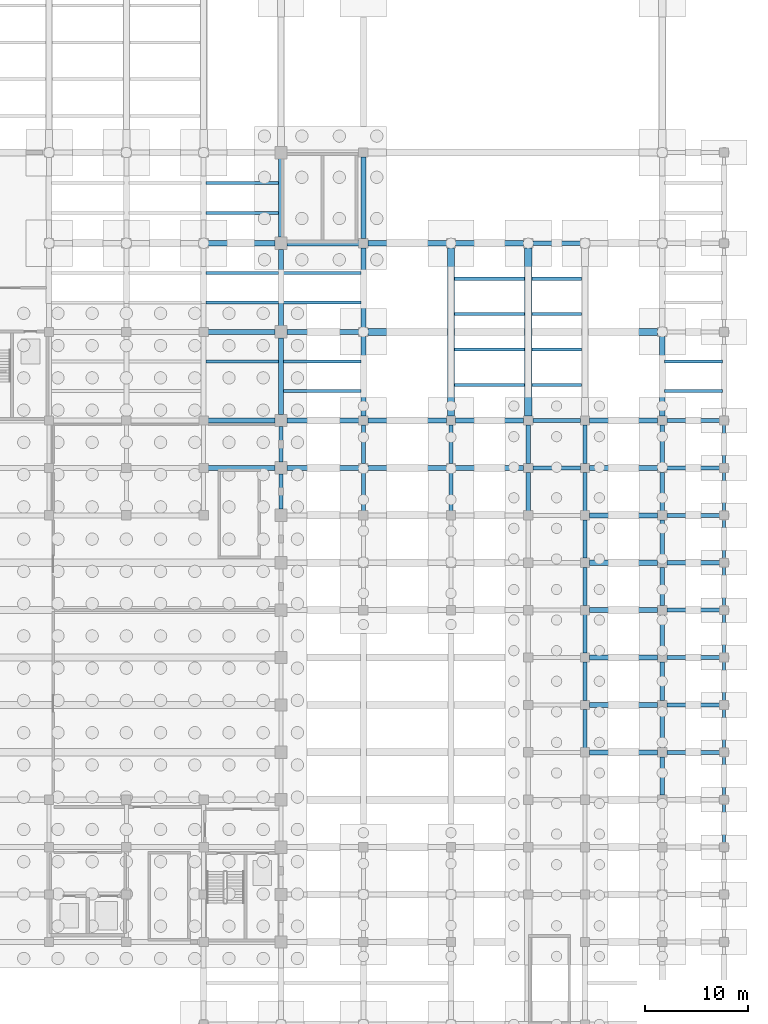
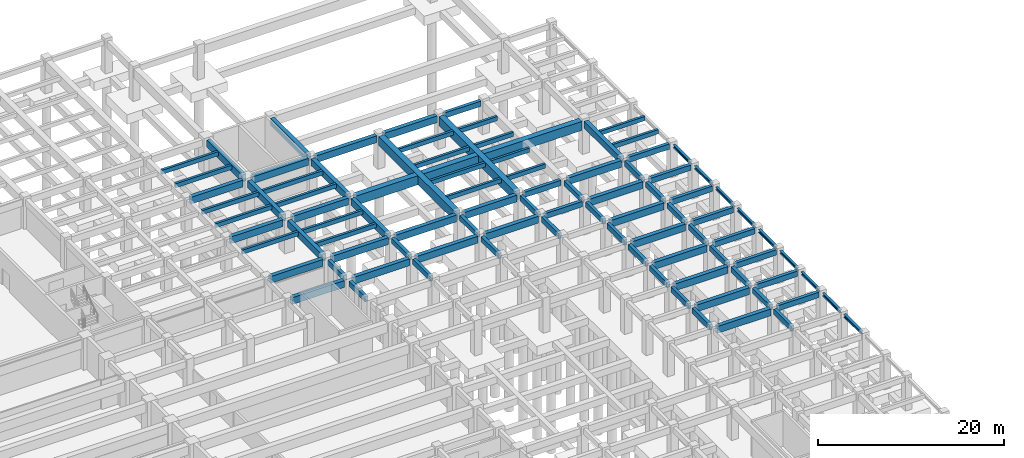
# One storey, part 19 of 32: 94 beams.
"""IFC4 building model written with IfcOpenShell, lengths in metres."""

from ifc_helpers import new_model, si_unit, direction, frame, origin, origin_2d, place, context, subcontext, project, spatial, rectangle, i_section, extrude, material, material_profile, profile_set, type_object, element, save


model = new_model("IFC4")

# Units and contexts
model_context = context("Model", 3, precision=1e-05, world=origin(), true_north=direction((0.0, 1.0)))
body_context = subcontext(model_context, "Body", "Model", "MODEL_VIEW")
ifc_project = project(units=[si_unit("LENGTHUNIT", "METRE"), si_unit("AREAUNIT", "SQUARE_METRE"), si_unit("VOLUMEUNIT", "CUBIC_METRE"), si_unit("PLANEANGLEUNIT", "RADIAN"), si_unit("MASSUNIT", "GRAM", prefix="KILO")], contexts=[model_context])

# Site, building, storey
site_placement = place(None, origin())
site = spatial("IfcSite", under=ifc_project, at=site_placement, CompositionType="ELEMENT")
building_placement = place(site_placement, origin())
building = spatial("IfcBuilding", under=site, at=building_placement, Name="Muzn Square Opera House", CompositionType="ELEMENT")
storey_placement = place(building_placement, frame((0.0, 0.0, -4.199951171875)))
storey = spatial("IfcBuildingStorey", under=building, at=storey_placement, Name="B1", CompositionType="ELEMENT", Elevation=-4.199951171875)

# Beams
ifc_material_1 = material(Name="Concrete C40/50", Category="concrete")
ifc_material_profile_1 = material_profile(ifc_material_1, rectangle(XDim=0.300048828125, YDim=0.550048828125, at=origin_2d()), Name="RCJ 300x550", Category="concrete")
ifc_profile_set_1 = profile_set([ifc_material_profile_1], Name="Concrete C40/50")
beam_type_1 = type_object("IfcBeamType", Name="Floor Joist 300x550", PredefinedType="JOIST", material=ifc_profile_set_1)
for number, where, z_axis, x_axis, name in (
    (1, (125.741943359375, 78.333251953125, 3.60498046875), (1.0, 0.0, 0.0), (0.0, 1.0, 0.0), "Floor Joist BM-B1-BM-J550-1257_783_1328_783-689"),
    (2, (125.741943359375, 84.066650390625, 3.60498046875), (1.0, 0.0, 0.0), (0.0, 1.0, 0.0), "Floor Joist BM-B1-BM-J550-1257_841_1328_841-690"),
    (3, (125.741943359375, 86.933349609375, 3.60498046875), (1.0, 0.0, 0.0), (0.0, 1.0, 0.0), "Floor Joist BM-B1-BM-J550-1257_869_1328_869-691"),
    (4, (125.741943359375, 92.7333984375, 3.60498046875), (1.0, 0.0, 0.0), (0.0, 1.0, 0.0), "Floor Joist BM-B1-BM-J550-1257_927_1328_927-692"),
    (5, (125.741943359375, 95.666748046875, 3.60498046875), (1.0, 0.0, 0.0), (0.0, 1.0, 0.0), "Floor Joist BM-B1-BM-J550-1257_957_1328_957-693"),
):
    element("IfcBeam", number, at=place(storey_placement, frame(where, z_axis=z_axis, x_axis=x_axis)), inside=storey, type_object=beam_type_1, Name=name, PredefinedType="JOIST", context=body_context, shape_type="SweptSolid", body=[
        extrude(rectangle(XDim=0.300048828125, YDim=0.550048828125, at=origin_2d()), origin(), (0.0, 0.0, 1.0), 7.01611328125),
    ])
for number, where, z_axis, x_axis, name in (
    (6, (133.241943359375, 75.466796875, 3.60498046875), (1.0, 0.0, 0.0), (0.0, 1.0, 0.0), "Floor Joist BM-B1-BM-J550-1332_755_1408_755-696"),
    (7, (133.241943359375, 78.333251953125, 3.60498046875), (1.0, 0.0, 0.0), (0.0, 1.0, 0.0), "Floor Joist BM-B1-BM-J550-1332_783_1408_783-697"),
    (8, (133.241943359375, 84.066650390625, 3.60498046875), (1.0, 0.0, 0.0), (0.0, 1.0, 0.0), "Floor Joist BM-B1-BM-J550-1332_841_1408_841-698"),
    (9, (133.241943359375, 86.933349609375, 3.60498046875), (1.0, 0.0, 0.0), (0.0, 1.0, 0.0), "Floor Joist BM-B1-BM-J550-1332_869_1408_869-699"),
):
    element("IfcBeam", number, at=place(storey_placement, frame(where, z_axis=z_axis, x_axis=x_axis)), inside=storey, type_object=beam_type_1, Name=name, PredefinedType="JOIST", context=body_context, shape_type="SweptSolid", body=[
        extrude(rectangle(XDim=0.300048828125, YDim=0.550048828125, at=origin_2d()), origin(), (0.0, 0.0, 1.0), 7.51611328125),
    ])
for number, where, z_axis, x_axis, name in (
    (10, (149.842041015625, 76.0400390625, 3.60498046875), (1.0, 0.0, 0.0), (0.0, 1.0, 0.0), "Floor Joist BM-B1-BM-J550-1498_760_1567_760-702"),
    (11, (149.842041015625, 79.47998046875, 3.60498046875), (1.0, 0.0, 0.0), (0.0, 1.0, 0.0), "Floor Joist BM-B1-BM-J550-1498_795_1567_795-703"),
    (12, (149.842041015625, 82.919921875, 3.60498046875), (1.0, 0.0, 0.0), (0.0, 1.0, 0.0), "Floor Joist BM-B1-BM-J550-1498_829_1567_829-704"),
    (13, (149.842041015625, 86.360107421875, 3.60498046875), (1.0, 0.0, 0.0), (0.0, 1.0, 0.0), "Floor Joist BM-B1-BM-J550-1498_864_1567_864-705"),
):
    element("IfcBeam", number, at=place(storey_placement, frame(where, z_axis=z_axis, x_axis=x_axis)), inside=storey, type_object=beam_type_1, Name=name, PredefinedType="JOIST", context=body_context, shape_type="SweptSolid", body=[
        extrude(rectangle(XDim=0.300048828125, YDim=0.550048828125, at=origin_2d()), origin(), (0.0, 0.0, 1.0), 6.81591796875),
    ])
for number, where, z_axis, x_axis, name in (
    (14, (157.342041015625, 76.0400390625, 3.60498046875), (1.0, 0.0, 0.0), (0.0, 1.0, 0.0), "Floor Joist BM-B1-BM-J550-1573_760_1622_760-706"),
    (15, (157.342041015625, 79.47998046875, 3.60498046875), (1.0, 0.0, 0.0), (0.0, 1.0, 0.0), "Floor Joist BM-B1-BM-J550-1573_795_1622_795-707"),
    (16, (157.342041015625, 82.919921875, 3.60498046875), (1.0, 0.0, 0.0), (0.0, 1.0, 0.0), "Floor Joist BM-B1-BM-J550-1573_829_1622_829-708"),
    (17, (157.342041015625, 86.360107421875, 3.60498046875), (1.0, 0.0, 0.0), (0.0, 1.0, 0.0), "Floor Joist BM-B1-BM-J550-1573_864_1622_864-709"),
):
    element("IfcBeam", number, at=place(storey_placement, frame(where, z_axis=z_axis, x_axis=x_axis)), inside=storey, type_object=beam_type_1, Name=name, PredefinedType="JOIST", context=body_context, shape_type="SweptSolid", body=[
        extrude(rectangle(XDim=0.300048828125, YDim=0.550048828125, at=origin_2d()), origin(), (0.0, 0.0, 1.0), 4.81591796875),
    ])
for number, where, z_axis, x_axis, name in (
    (18, (170.241943359375, 75.466796875, 3.6650390625), (1.0, 0.0, 0.0), (0.0, 1.0, 0.0), "Floor Joist BM-B1-BM-J550-1702_755_1759_755-714"),
    (19, (170.241943359375, 78.333251953125, 3.6650390625), (1.0, 0.0, 0.0), (0.0, 1.0, 0.0), "Floor Joist BM-B1-BM-J550-1702_783_1759_783-715"),
):
    element("IfcBeam", number, at=place(storey_placement, frame(where, z_axis=z_axis, x_axis=x_axis)), inside=storey, type_object=beam_type_1, Name=name, PredefinedType="JOIST", context=body_context, shape_type="SweptSolid", body=[
        extrude(rectangle(XDim=0.300048828125, YDim=0.550048828125, at=origin_2d()), origin(), (0.0, 0.0, 1.0), 5.615966796875),
    ])
ifc_material_profile_2 = material_profile(ifc_material_1, rectangle(XDim=0.39990234375, YDim=0.699951171875, at=origin_2d()), Name="RCB 400x700", Category="concrete")
ifc_profile_set_2 = profile_set([ifc_material_profile_2], Name="Concrete C40/50")
beam_type_2 = type_object("IfcBeamType", Name="Primary Girder 400x700", PredefinedType="BEAM", material=ifc_profile_set_2)
for number, where, z_axis, x_axis, name in (
    (20, (170.44189453125, 40.39990234375, 3.58984375), (1.0, 0.0, 0.0), (0.0, 1.0, 0.0), "Primary Girder BM-B1-BM-PG700-1704_404_1756_404-122"),
    (21, (170.44189453125, 45.0, 3.58984375), (1.0, 0.0, 0.0), (0.0, 1.0, 0.0), "Primary Girder BM-B1-BM-PG700-1704_450_1756_450-131"),
    (22, (170.44189453125, 49.60009765625, 3.58984375), (1.0, 0.0, 0.0), (0.0, 1.0, 0.0), "Primary Girder BM-B1-BM-PG700-1704_496_1756_496-140"),
    (23, (170.44189453125, 54.199951171875, 3.58984375), (1.0, 0.0, 0.0), (0.0, 1.0, 0.0), "Primary Girder BM-B1-BM-PG700-1704_542_1756_542-155"),
    (24, (170.44189453125, 58.800048828125, 3.58984375), (1.0, 0.0, 0.0), (0.0, 1.0, 0.0), "Primary Girder BM-B1-BM-PG700-1704_588_1756_588-170"),
    (25, (170.44189453125, 63.39990234375, 3.58984375), (1.0, 0.0, 0.0), (0.0, 1.0, 0.0), "Primary Girder BM-B1-BM-PG700-1704_634_1756_634-189"),
):
    element("IfcBeam", number, at=place(storey_placement, frame(where, z_axis=z_axis, x_axis=x_axis)), inside=storey, type_object=beam_type_2, Name=name, PredefinedType="BEAM", context=body_context, shape_type="SweptSolid", body=[
        extrude(rectangle(XDim=0.39990234375, YDim=0.699951171875, at=origin_2d()), origin(), (0.0, 0.0, 1.0), 5.14111328125),
    ])
beam_1_placement = place(storey_placement, frame((157.44189453125, 68.0, 3.530029296875), z_axis=(1.0, 0.0, 0.0), x_axis=(0.0, 1.0, 0.0)))
element("IfcBeam", 26, at=beam_1_placement, inside=storey, type_object=beam_type_2, Name="Primary Girder BM-B1-BM-PG700-1574_680_1621_680-207", PredefinedType="BEAM", context=body_context, shape_type="SweptSolid", body=[
    extrude(rectangle(XDim=0.39990234375, YDim=0.699951171875, at=origin_2d()), origin(), (0.0, 0.0, 1.0), 4.6162109375),
])
beam_2_placement = place(storey_placement, frame((170.44189453125, 68.0, 3.58984375), z_axis=(1.0, 0.0, 0.0), x_axis=(0.0, 1.0, 0.0)))
element("IfcBeam", 27, at=beam_2_placement, inside=storey, type_object=beam_type_2, Name="Primary Girder BM-B1-BM-PG700-1704_680_1756_680-209", PredefinedType="BEAM", context=body_context, shape_type="SweptSolid", body=[
    extrude(rectangle(XDim=0.39990234375, YDim=0.699951171875, at=origin_2d()), origin(), (0.0, 0.0, 1.0), 5.14111328125),
])
beam_3_placement = place(storey_placement, frame((157.44189453125, 72.60009765625, 3.530029296875), z_axis=(1.0, 0.0, 0.0), x_axis=(0.0, 1.0, 0.0)))
element("IfcBeam", 28, at=beam_3_placement, inside=storey, type_object=beam_type_2, Name="Primary Girder BM-B1-BM-PG700-1574_726_1621_726-226", PredefinedType="BEAM", context=body_context, shape_type="SweptSolid", body=[
    extrude(rectangle(XDim=0.39990234375, YDim=0.699951171875, at=origin_2d()), origin(), (0.0, 0.0, 1.0), 4.6162109375),
])
beam_4_placement = place(storey_placement, frame((170.44189453125, 72.60009765625, 3.58984375), z_axis=(1.0, 0.0, 0.0), x_axis=(0.0, 1.0, 0.0)))
element("IfcBeam", 29, at=beam_4_placement, inside=storey, type_object=beam_type_2, Name="Primary Girder BM-B1-BM-PG700-1704_726_1756_726-228", PredefinedType="BEAM", context=body_context, shape_type="SweptSolid", body=[
    extrude(rectangle(XDim=0.39990234375, YDim=0.699951171875, at=origin_2d()), origin(), (0.0, 0.0, 1.0), 5.14111328125),
])
beam_5_placement = place(storey_placement, frame((157.44189453125, 89.800048828125, 3.530029296875), z_axis=(1.0, 0.0, 0.0), x_axis=(0.0, 1.0, 0.0)))
element("IfcBeam", 30, at=beam_5_placement, inside=storey, type_object=beam_type_2, Name="Primary Girder BM-B1-BM-PG700-1574_898_1621_898-255", PredefinedType="BEAM", context=body_context, shape_type="SweptSolid", body=[
    extrude(rectangle(XDim=0.39990234375, YDim=0.699951171875, at=origin_2d()), origin(), (0.0, 0.0, 1.0), 4.6162109375),
])
for number, where, z_axis, x_axis, name in (
    (31, (133.0, 63.991943359375, 3.530029296875), (0.0, 1.0, 0.0), (-1.0, 0.0, 0.0), "Primary Girder BM-B1-BM-PG700-1330_640_1330_674-490"),
    (32, (133.0, 68.592041015625, 3.530029296875), (0.0, 1.0, 0.0), (-1.0, 0.0, 0.0), "Primary Girder BM-B1-BM-PG700-1330_686_1330_720-491"),
):
    element("IfcBeam", number, at=place(storey_placement, frame(where, z_axis=z_axis, x_axis=x_axis)), inside=storey, type_object=beam_type_2, Name=name, PredefinedType="BEAM", context=body_context, shape_type="SweptSolid", body=[
        extrude(rectangle(XDim=0.39990234375, YDim=0.699951171875, at=origin_2d()), origin(), (0.0, 0.0, 1.0), 3.416015625),
    ])
for number, where, z_axis, x_axis, name in (
    (33, (141.0, 63.842041015625, 3.530029296875), (0.0, 1.0, 0.0), (-1.0, 0.0, 0.0), "Primary Girder BM-B1-BM-PG700-1410_638_1410_676-502"),
    (34, (141.0, 68.44189453125, 3.530029296875), (0.0, 1.0, 0.0), (-1.0, 0.0, 0.0), "Primary Girder BM-B1-BM-PG700-1410_684_1410_722-503"),
    (35, (149.5, 63.842041015625, 3.530029296875), (0.0, 1.0, 0.0), (-1.0, 0.0, 0.0), "Primary Girder BM-B1-BM-PG700-1495_638_1495_676-514"),
    (36, (149.5, 68.44189453125, 3.530029296875), (0.0, 1.0, 0.0), (-1.0, 0.0, 0.0), "Primary Girder BM-B1-BM-PG700-1495_684_1495_722-515"),
    (37, (157.0, 63.842041015625, 3.530029296875), (0.0, 1.0, 0.0), (-1.0, 0.0, 0.0), "Primary Girder BM-B1-BM-PG700-1570_638_1570_676-527"),
    (38, (157.0, 68.44189453125, 3.530029296875), (0.0, 1.0, 0.0), (-1.0, 0.0, 0.0), "Primary Girder BM-B1-BM-PG700-1570_684_1570_722-528"),
    (39, (162.5, 40.842041015625, 3.530029296875), (0.0, 1.0, 0.0), (-1.0, 0.0, 0.0), "Primary Girder BM-B1-BM-PG700-1625_408_1625_446-537"),
    (40, (162.5, 45.44189453125, 3.530029296875), (0.0, 1.0, 0.0), (-1.0, 0.0, 0.0), "Primary Girder BM-B1-BM-PG700-1625_454_1625_492-538"),
    (41, (162.5, 50.0419921875, 3.530029296875), (0.0, 1.0, 0.0), (-1.0, 0.0, 0.0), "Primary Girder BM-B1-BM-PG700-1625_500_1625_538-539"),
):
    element("IfcBeam", number, at=place(storey_placement, frame(where, z_axis=z_axis, x_axis=x_axis)), inside=storey, type_object=beam_type_2, Name=name, PredefinedType="BEAM", context=body_context, shape_type="SweptSolid", body=[
        extrude(rectangle(XDim=0.39990234375, YDim=0.699951171875, at=origin_2d()), origin(), (0.0, 0.0, 1.0), 3.716064453125),
    ])
beam_6_placement = place(storey_placement, frame((162.5, 54.64208984375, 3.530029296875), z_axis=(0.0, 1.0, 0.0), x_axis=(-1.0, 0.0, 0.0)))
element("IfcBeam", 42, at=beam_6_placement, inside=storey, type_object=beam_type_2, Name="Primary Girder BM-B1-BM-PG700-1625_546_1625_584-540", PredefinedType="BEAM", context=body_context, shape_type="SweptSolid", body=[
    extrude(rectangle(XDim=0.39990234375, YDim=0.699951171875, at=origin_2d()), origin(), (0.0, 0.0, 1.0), 3.7158203125),
])
for number, where, z_axis, x_axis, name in (
    (43, (162.5, 59.241943359375, 3.530029296875), (0.0, 1.0, 0.0), (-1.0, 0.0, 0.0), "Primary Girder BM-B1-BM-PG700-1625_592_1625_630-541"),
    (44, (162.5, 63.842041015625, 3.530029296875), (0.0, 1.0, 0.0), (-1.0, 0.0, 0.0), "Primary Girder BM-B1-BM-PG700-1625_638_1625_676-542"),
    (45, (162.5, 68.44189453125, 3.530029296875), (0.0, 1.0, 0.0), (-1.0, 0.0, 0.0), "Primary Girder BM-B1-BM-PG700-1625_684_1625_722-543"),
    (46, (170.0, 36.241943359375, 3.530029296875), (0.0, 1.0, 0.0), (-1.0, 0.0, 0.0), "Primary Girder BM-B1-BM-PG700-1700_362_1700_400-551"),
    (47, (170.0, 40.842041015625, 3.530029296875), (0.0, 1.0, 0.0), (-1.0, 0.0, 0.0), "Primary Girder BM-B1-BM-PG700-1700_408_1700_446-552"),
    (48, (170.0, 45.44189453125, 3.530029296875), (0.0, 1.0, 0.0), (-1.0, 0.0, 0.0), "Primary Girder BM-B1-BM-PG700-1700_454_1700_492-553"),
    (49, (170.0, 50.0419921875, 3.530029296875), (0.0, 1.0, 0.0), (-1.0, 0.0, 0.0), "Primary Girder BM-B1-BM-PG700-1700_500_1700_538-554"),
):
    element("IfcBeam", number, at=place(storey_placement, frame(where, z_axis=z_axis, x_axis=x_axis)), inside=storey, type_object=beam_type_2, Name=name, PredefinedType="BEAM", context=body_context, shape_type="SweptSolid", body=[
        extrude(rectangle(XDim=0.39990234375, YDim=0.699951171875, at=origin_2d()), origin(), (0.0, 0.0, 1.0), 3.716064453125),
    ])
beam_7_placement = place(storey_placement, frame((170.0, 54.64208984375, 3.530029296875), z_axis=(0.0, 1.0, 0.0), x_axis=(-1.0, 0.0, 0.0)))
element("IfcBeam", 50, at=beam_7_placement, inside=storey, type_object=beam_type_2, Name="Primary Girder BM-B1-BM-PG700-1700_546_1700_584-555", PredefinedType="BEAM", context=body_context, shape_type="SweptSolid", body=[
    extrude(rectangle(XDim=0.39990234375, YDim=0.699951171875, at=origin_2d()), origin(), (0.0, 0.0, 1.0), 3.7158203125),
])
for number, where, z_axis, x_axis, name in (
    (51, (170.0, 59.241943359375, 3.530029296875), (0.0, 1.0, 0.0), (-1.0, 0.0, 0.0), "Primary Girder BM-B1-BM-PG700-1700_592_1700_630-556"),
    (52, (170.0, 63.842041015625, 3.530029296875), (0.0, 1.0, 0.0), (-1.0, 0.0, 0.0), "Primary Girder BM-B1-BM-PG700-1700_638_1700_676-557"),
    (53, (170.0, 68.44189453125, 3.530029296875), (0.0, 1.0, 0.0), (-1.0, 0.0, 0.0), "Primary Girder BM-B1-BM-PG700-1700_684_1700_722-558"),
):
    element("IfcBeam", number, at=place(storey_placement, frame(where, z_axis=z_axis, x_axis=x_axis)), inside=storey, type_object=beam_type_2, Name=name, PredefinedType="BEAM", context=body_context, shape_type="SweptSolid", body=[
        extrude(rectangle(XDim=0.39990234375, YDim=0.699951171875, at=origin_2d()), origin(), (0.0, 0.0, 1.0), 3.716064453125),
    ])
ifc_material_profile_3 = material_profile(ifc_material_1, rectangle(XDim=0.5, YDim=0.89990234375, at=origin_2d()), Name="RCB 500x900", Category="concrete")
ifc_profile_set_3 = profile_set([ifc_material_profile_3], Name="Concrete C40/50")
beam_type_3 = type_object("IfcBeamType", Name="Primary Girder 500x900", PredefinedType="BEAM", material=ifc_profile_set_3)
for number, where, z_axis, x_axis, name in (
    (54, (162.94189453125, 40.39990234375, 3.429931640625), (1.0, 0.0, 0.0), (0.0, 1.0, 0.0), "Primary Girder BM-B1-BM-PG900-1629_404_1696_404-121"),
    (55, (162.94189453125, 45.0, 3.429931640625), (1.0, 0.0, 0.0), (0.0, 1.0, 0.0), "Primary Girder BM-B1-BM-PG900-1629_450_1696_450-130"),
    (56, (162.94189453125, 49.60009765625, 3.429931640625), (1.0, 0.0, 0.0), (0.0, 1.0, 0.0), "Primary Girder BM-B1-BM-PG900-1629_496_1696_496-139"),
    (57, (162.94189453125, 54.199951171875, 3.429931640625), (1.0, 0.0, 0.0), (0.0, 1.0, 0.0), "Primary Girder BM-B1-BM-PG900-1629_542_1696_542-154"),
    (58, (162.94189453125, 58.800048828125, 3.429931640625), (1.0, 0.0, 0.0), (0.0, 1.0, 0.0), "Primary Girder BM-B1-BM-PG900-1629_588_1696_588-169"),
    (59, (162.94189453125, 63.39990234375, 3.429931640625), (1.0, 0.0, 0.0), (0.0, 1.0, 0.0), "Primary Girder BM-B1-BM-PG900-1629_634_1696_634-188"),
):
    element("IfcBeam", number, at=place(storey_placement, frame(where, z_axis=z_axis, x_axis=x_axis)), inside=storey, type_object=beam_type_3, Name=name, PredefinedType="BEAM", context=body_context, shape_type="SweptSolid", body=[
        extrude(rectangle(XDim=0.5, YDim=0.89990234375, at=origin_2d()), origin(), (0.0, 0.0, 1.0), 6.6162109375),
    ])
beam_8_placement = place(storey_placement, frame((125.94189453125, 68.0, 3.429931640625), z_axis=(1.0, 0.0, 0.0), x_axis=(0.0, 1.0, 0.0)))
element("IfcBeam", 60, at=beam_8_placement, inside=storey, type_object=beam_type_3, Name="Primary Girder BM-B1-BM-PG900-1259_680_1324_680-203", PredefinedType="BEAM", context=body_context, shape_type="SweptSolid", body=[
    extrude(rectangle(XDim=0.5, YDim=0.89990234375, at=origin_2d()), origin(), (0.0, 0.0, 1.0), 6.466064453125),
])
beam_9_placement = place(storey_placement, frame((133.592041015625, 68.0, 3.429931640625), z_axis=(1.0, 0.0, 0.0), x_axis=(0.0, 1.0, 0.0)))
element("IfcBeam", 61, at=beam_9_placement, inside=storey, type_object=beam_type_3, Name="Primary Girder BM-B1-BM-PG900-1336_680_1406_680-204", PredefinedType="BEAM", context=body_context, shape_type="SweptSolid", body=[
    extrude(rectangle(XDim=0.5, YDim=0.89990234375, at=origin_2d()), origin(), (0.0, 0.0, 1.0), 6.966064453125),
])
beam_10_placement = place(storey_placement, frame((141.44189453125, 68.0, 3.429931640625), z_axis=(1.0, 0.0, 0.0), x_axis=(0.0, 1.0, 0.0)))
element("IfcBeam", 62, at=beam_10_placement, inside=storey, type_object=beam_type_3, Name="Primary Girder BM-B1-BM-PG900-1414_680_1491_680-205", PredefinedType="BEAM", context=body_context, shape_type="SweptSolid", body=[
    extrude(rectangle(XDim=0.5, YDim=0.89990234375, at=origin_2d()), origin(), (0.0, 0.0, 1.0), 7.6162109375),
])
for number, where, z_axis, x_axis, name in (
    (63, (149.94189453125, 68.0, 3.429931640625), (1.0, 0.0, 0.0), (0.0, 1.0, 0.0), "Primary Girder BM-B1-BM-PG900-1499_680_1566_680-206"),
    (64, (162.94189453125, 68.0, 3.429931640625), (1.0, 0.0, 0.0), (0.0, 1.0, 0.0), "Primary Girder BM-B1-BM-PG900-1629_680_1696_680-208"),
):
    element("IfcBeam", number, at=place(storey_placement, frame(where, z_axis=z_axis, x_axis=x_axis)), inside=storey, type_object=beam_type_3, Name=name, PredefinedType="BEAM", context=body_context, shape_type="SweptSolid", body=[
        extrude(rectangle(XDim=0.5, YDim=0.89990234375, at=origin_2d()), origin(), (0.0, 0.0, 1.0), 6.6162109375),
    ])
beam_11_placement = place(storey_placement, frame((125.94189453125, 72.60009765625, 3.429931640625), z_axis=(1.0, 0.0, 0.0), x_axis=(0.0, 1.0, 0.0)))
element("IfcBeam", 65, at=beam_11_placement, inside=storey, type_object=beam_type_3, Name="Primary Girder BM-B1-BM-PG900-1259_726_1324_726-222", PredefinedType="BEAM", context=body_context, shape_type="SweptSolid", body=[
    extrude(rectangle(XDim=0.5, YDim=0.89990234375, at=origin_2d()), origin(), (0.0, 0.0, 1.0), 6.466064453125),
])
beam_12_placement = place(storey_placement, frame((133.592041015625, 72.60009765625, 3.429931640625), z_axis=(1.0, 0.0, 0.0), x_axis=(0.0, 1.0, 0.0)))
element("IfcBeam", 66, at=beam_12_placement, inside=storey, type_object=beam_type_3, Name="Primary Girder BM-B1-BM-PG900-1336_726_1406_726-223", PredefinedType="BEAM", context=body_context, shape_type="SweptSolid", body=[
    extrude(rectangle(XDim=0.5, YDim=0.89990234375, at=origin_2d()), origin(), (0.0, 0.0, 1.0), 6.966064453125),
])
beam_13_placement = place(storey_placement, frame((141.44189453125, 72.60009765625, 3.429931640625), z_axis=(1.0, 0.0, 0.0), x_axis=(0.0, 1.0, 0.0)))
element("IfcBeam", 67, at=beam_13_placement, inside=storey, type_object=beam_type_3, Name="Primary Girder BM-B1-BM-PG900-1414_726_1491_726-224", PredefinedType="BEAM", context=body_context, shape_type="SweptSolid", body=[
    extrude(rectangle(XDim=0.5, YDim=0.89990234375, at=origin_2d()), origin(), (0.0, 0.0, 1.0), 7.6162109375),
])
for number, where, z_axis, x_axis, name in (
    (68, (149.94189453125, 72.60009765625, 3.429931640625), (1.0, 0.0, 0.0), (0.0, 1.0, 0.0), "Primary Girder BM-B1-BM-PG900-1499_726_1566_726-225"),
    (69, (162.94189453125, 72.60009765625, 3.429931640625), (1.0, 0.0, 0.0), (0.0, 1.0, 0.0), "Primary Girder BM-B1-BM-PG900-1629_726_1696_726-227"),
):
    element("IfcBeam", number, at=place(storey_placement, frame(where, z_axis=z_axis, x_axis=x_axis)), inside=storey, type_object=beam_type_3, Name=name, PredefinedType="BEAM", context=body_context, shape_type="SweptSolid", body=[
        extrude(rectangle(XDim=0.5, YDim=0.89990234375, at=origin_2d()), origin(), (0.0, 0.0, 1.0), 6.6162109375),
    ])
beam_14_placement = place(storey_placement, frame((125.94189453125, 81.199951171875, 3.429931640625), z_axis=(1.0, 0.0, 0.0), x_axis=(0.0, 1.0, 0.0)))
element("IfcBeam", 70, at=beam_14_placement, inside=storey, type_object=beam_type_3, Name="Primary Girder BM-B1-BM-PG900-1259_812_1324_812-238", PredefinedType="BEAM", context=body_context, shape_type="SweptSolid", body=[
    extrude(rectangle(XDim=0.5, YDim=0.89990234375, at=origin_2d()), origin(), (0.0, 0.0, 1.0), 6.466064453125),
])
beam_15_placement = place(storey_placement, frame((133.592041015625, 81.199951171875, 3.429931640625), z_axis=(1.0, 0.0, 0.0), x_axis=(0.0, 1.0, 0.0)))
element("IfcBeam", 71, at=beam_15_placement, inside=storey, type_object=beam_type_3, Name="Primary Girder BM-B1-BM-PG900-1336_812_1406_812-239", PredefinedType="BEAM", context=body_context, shape_type="SweptSolid", body=[
    extrude(rectangle(XDim=0.5, YDim=0.89990234375, at=origin_2d()), origin(), (0.0, 0.0, 1.0), 6.966064453125),
])
beam_16_placement = place(storey_placement, frame((125.94189453125, 89.800048828125, 3.429931640625), z_axis=(1.0, 0.0, 0.0), x_axis=(0.0, 1.0, 0.0)))
element("IfcBeam", 72, at=beam_16_placement, inside=storey, type_object=beam_type_3, Name="Primary Girder BM-B1-BM-PG900-1259_898_1324_898-251", PredefinedType="BEAM", context=body_context, shape_type="SweptSolid", body=[
    extrude(rectangle(XDim=0.5, YDim=0.89990234375, at=origin_2d()), origin(), (0.0, 0.0, 1.0), 6.466064453125),
])
beam_17_placement = place(storey_placement, frame((133.592041015625, 89.800048828125, 3.429931640625), z_axis=(1.0, 0.0, 0.0), x_axis=(0.0, 1.0, 0.0)))
element("IfcBeam", 73, at=beam_17_placement, inside=storey, type_object=beam_type_3, Name="Primary Girder BM-B1-BM-PG900-1336_898_1406_898-252", PredefinedType="BEAM", context=body_context, shape_type="SweptSolid", body=[
    extrude(rectangle(XDim=0.5, YDim=0.89990234375, at=origin_2d()), origin(), (0.0, 0.0, 1.0), 6.966064453125),
])
beam_18_placement = place(storey_placement, frame((141.44189453125, 89.800048828125, 3.429931640625), z_axis=(1.0, 0.0, 0.0), x_axis=(0.0, 1.0, 0.0)))
element("IfcBeam", 74, at=beam_18_placement, inside=storey, type_object=beam_type_3, Name="Primary Girder BM-B1-BM-PG900-1414_898_1491_898-253", PredefinedType="BEAM", context=body_context, shape_type="SweptSolid", body=[
    extrude(rectangle(XDim=0.5, YDim=0.89990234375, at=origin_2d()), origin(), (0.0, 0.0, 1.0), 7.6162109375),
])
beam_19_placement = place(storey_placement, frame((149.94189453125, 89.800048828125, 3.429931640625), z_axis=(1.0, 0.0, 0.0), x_axis=(0.0, 1.0, 0.0)))
element("IfcBeam", 75, at=beam_19_placement, inside=storey, type_object=beam_type_3, Name="Primary Girder BM-B1-BM-PG900-1499_898_1566_898-254", PredefinedType="BEAM", context=body_context, shape_type="SweptSolid", body=[
    extrude(rectangle(XDim=0.5, YDim=0.89990234375, at=origin_2d()), origin(), (0.0, 0.0, 1.0), 6.6162109375),
])
for number, where, z_axis, x_axis, name in (
    (76, (133.0, 73.19189453125, 3.429931640625), (0.0, 1.0, 0.0), (-1.0, 0.0, 0.0), "Primary Girder BM-B1-BM-PG900-1330_732_1330_806-492"),
    (77, (133.0, 81.7919921875, 3.429931640625), (0.0, 1.0, 0.0), (-1.0, 0.0, 0.0), "Primary Girder BM-B1-BM-PG900-1330_818_1330_892-493"),
):
    element("IfcBeam", number, at=place(storey_placement, frame(where, z_axis=z_axis, x_axis=x_axis)), inside=storey, type_object=beam_type_3, Name=name, PredefinedType="BEAM", context=body_context, shape_type="SweptSolid", body=[
        extrude(rectangle(XDim=0.5, YDim=0.89990234375, at=origin_2d()), origin(), (0.0, 0.0, 1.0), 7.416015625),
    ])
beam_20_placement = place(storey_placement, frame((133.0, 90.39208984375, 3.429931640625), z_axis=(0.0, 1.0, 0.0), x_axis=(-1.0, 0.0, 0.0)))
element("IfcBeam", 78, at=beam_20_placement, inside=storey, type_object=beam_type_3, Name="Primary Girder BM-B1-BM-PG900-1330_904_1330_980-494", PredefinedType="BEAM", context=body_context, shape_type="SweptSolid", body=[
    extrude(rectangle(XDim=0.5, YDim=0.89990234375, at=origin_2d()), origin(), (0.0, 0.0, 1.0), 7.615966796875),
])
beam_21_placement = place(storey_placement, frame((141.0, 73.0419921875, 3.429931640625), z_axis=(0.0, 1.0, 0.0), x_axis=(-1.0, 0.0, 0.0)))
element("IfcBeam", 79, at=beam_21_placement, inside=storey, type_object=beam_type_3, Name="Primary Girder BM-B1-BM-PG900-1410_730_1410_808-504", PredefinedType="BEAM", context=body_context, shape_type="SweptSolid", body=[
    extrude(rectangle(XDim=0.5, YDim=0.89990234375, at=origin_2d()), origin(), (0.0, 0.0, 1.0), 7.716064453125),
])
beam_22_placement = place(storey_placement, frame((141.0, 81.64208984375, 3.429931640625), z_axis=(0.0, 1.0, 0.0), x_axis=(-1.0, 0.0, 0.0)))
element("IfcBeam", 80, at=beam_22_placement, inside=storey, type_object=beam_type_3, Name="Primary Girder BM-B1-BM-PG900-1410_816_1410_894-505", PredefinedType="BEAM", context=body_context, shape_type="SweptSolid", body=[
    extrude(rectangle(XDim=0.5, YDim=0.89990234375, at=origin_2d()), origin(), (0.0, 0.0, 1.0), 7.7158203125),
])
beam_23_placement = place(storey_placement, frame((141.0, 90.241943359375, 3.429931640625), z_axis=(0.0, 1.0, 0.0), x_axis=(-1.0, 0.0, 0.0)))
element("IfcBeam", 81, at=beam_23_placement, inside=storey, type_object=beam_type_3, Name="Primary Girder BM-B1-BM-PG900-1410_902_1410_982-506", PredefinedType="BEAM", context=body_context, shape_type="SweptSolid", body=[
    extrude(rectangle(XDim=0.5, YDim=0.89990234375, at=origin_2d()), origin(), (0.0, 0.0, 1.0), 7.916015625),
])
beam_24_placement = place(storey_placement, frame((170.0, 73.0419921875, 3.429931640625), z_axis=(0.0, 1.0, 0.0), x_axis=(-1.0, 0.0, 0.0)))
element("IfcBeam", 82, at=beam_24_placement, inside=storey, type_object=beam_type_3, Name="Primary Girder BM-B1-BM-PG900-1700_730_1700_808-559", PredefinedType="BEAM", context=body_context, shape_type="SweptSolid", body=[
    extrude(rectangle(XDim=0.5, YDim=0.89990234375, at=origin_2d()), origin(), (0.0, 0.0, 1.0), 7.716064453125),
])
ifc_material_profile_4 = material_profile(ifc_material_1, rectangle(XDim=0.699951171875, YDim=1.199951171875, at=origin_2d()), Name="RCB 700x1200", Category="concrete")
ifc_profile_set_4 = profile_set([ifc_material_profile_4], Name="Concrete C40/50")
beam_type_4 = type_object("IfcBeamType", Name="Primary Girder 700x1200", PredefinedType="BEAM", material=ifc_profile_set_4)
beam_25_placement = place(storey_placement, frame((141.44189453125, 81.199951171875, 3.280029296875), z_axis=(1.0, 0.0, 0.0), x_axis=(0.0, 1.0, 0.0)))
element("IfcBeam", 83, at=beam_25_placement, inside=storey, type_object=beam_type_4, Name="Primary Girder BM-B1-BM-PG1200-1414_812_1696_812-240", PredefinedType="BEAM", context=body_context, shape_type="SweptSolid", body=[
    extrude(rectangle(XDim=0.699951171875, YDim=1.199951171875, at=origin_2d()), origin(), (0.0, 0.0, 1.0), 28.1162109375),
])
for number, where, z_axis, x_axis, name in (
    (84, (149.5, 73.0419921875, 3.280029296875), (0.0, 1.0, 0.0), (-1.0, 0.0, 0.0), "Primary Girder BM-B1-BM-PG1200-1495_730_1495_894-516"),
    (85, (157.0, 73.0419921875, 3.280029296875), (0.0, 1.0, 0.0), (-1.0, 0.0, 0.0), "Primary Girder BM-B1-BM-PG1200-1570_730_1570_894-529"),
):
    element("IfcBeam", number, at=place(storey_placement, frame(where, z_axis=z_axis, x_axis=x_axis)), inside=storey, type_object=beam_type_4, Name=name, PredefinedType="BEAM", context=body_context, shape_type="SweptSolid", body=[
        extrude(rectangle(XDim=0.699951171875, YDim=1.199951171875, at=origin_2d()), origin(), (0.0, 0.0, 1.0), 16.31591796875),
    ])
ifc_material_2 = material(Name="Steel S355", Category="steel")
ifc_material_profile_5 = material_profile(ifc_material_2, i_section(OverallWidth=0.300048828125, OverallDepth=0.389892578125, WebThickness=0.010986328125, FlangeThickness=0.01904296875, FilletRadius=0.027099609375, at=origin_2d()), Name="HEA 400", Category="steel")
ifc_profile_set_5 = profile_set([ifc_material_profile_5], Name="Steel S355")
beam_type_5 = type_object("IfcBeamType", Name="Steel Spandrel Beam HEA400", PredefinedType="SPANDREL", material=ifc_profile_set_5)
beam_26_placement = place(storey_placement, frame((176.0, 31.616943359375, 3.68505859375), z_axis=(0.0, 1.0, 0.0), x_axis=(-1.0, 0.0, 0.0)))
element("IfcBeam", 86, at=beam_26_placement, inside=storey, type_object=beam_type_5, Name="Spandrel Beam BM-B1-BM-SSP400-1760_316_1760_354-567", PredefinedType="SPANDREL", context=body_context, shape_type="SweptSolid", body=[
    extrude(i_section(OverallWidth=0.300048828125, OverallDepth=0.389892578125, WebThickness=0.010986328125, FlangeThickness=0.01904296875, FilletRadius=0.027099609375, at=origin_2d()), origin(), (0.0, 0.0, 1.0), 3.76611328125),
])
beam_27_placement = place(storey_placement, frame((176.0, 36.217041015625, 3.68505859375), z_axis=(0.0, 1.0, 0.0), x_axis=(-1.0, 0.0, 0.0)))
element("IfcBeam", 87, at=beam_27_placement, inside=storey, type_object=beam_type_5, Name="Spandrel Beam BM-B1-BM-SSP400-1760_362_1760_400-568", PredefinedType="SPANDREL", context=body_context, shape_type="SweptSolid", body=[
    extrude(i_section(OverallWidth=0.300048828125, OverallDepth=0.389892578125, WebThickness=0.010986328125, FlangeThickness=0.01904296875, FilletRadius=0.027099609375, at=origin_2d()), origin(), (0.0, 0.0, 1.0), 3.765869140625),
])
for number, where, z_axis, x_axis, name in (
    (88, (176.0, 40.81689453125, 3.68505859375), (0.0, 1.0, 0.0), (-1.0, 0.0, 0.0), "Spandrel Beam BM-B1-BM-SSP400-1760_408_1760_446-569"),
    (89, (176.0, 45.4169921875, 3.68505859375), (0.0, 1.0, 0.0), (-1.0, 0.0, 0.0), "Spandrel Beam BM-B1-BM-SSP400-1760_454_1760_492-570"),
):
    element("IfcBeam", number, at=place(storey_placement, frame(where, z_axis=z_axis, x_axis=x_axis)), inside=storey, type_object=beam_type_5, Name=name, PredefinedType="SPANDREL", context=body_context, shape_type="SweptSolid", body=[
        extrude(i_section(OverallWidth=0.300048828125, OverallDepth=0.389892578125, WebThickness=0.010986328125, FlangeThickness=0.01904296875, FilletRadius=0.027099609375, at=origin_2d()), origin(), (0.0, 0.0, 1.0), 3.76611328125),
    ])
beam_28_placement = place(storey_placement, frame((176.0, 50.01708984375, 3.68505859375), z_axis=(0.0, 1.0, 0.0), x_axis=(-1.0, 0.0, 0.0)))
element("IfcBeam", 90, at=beam_28_placement, inside=storey, type_object=beam_type_5, Name="Spandrel Beam BM-B1-BM-SSP400-1760_500_1760_538-571", PredefinedType="SPANDREL", context=body_context, shape_type="SweptSolid", body=[
    extrude(i_section(OverallWidth=0.300048828125, OverallDepth=0.389892578125, WebThickness=0.010986328125, FlangeThickness=0.01904296875, FilletRadius=0.027099609375, at=origin_2d()), origin(), (0.0, 0.0, 1.0), 3.765869140625),
])
beam_29_placement = place(storey_placement, frame((176.0, 54.616943359375, 3.68505859375), z_axis=(0.0, 1.0, 0.0), x_axis=(-1.0, 0.0, 0.0)))
element("IfcBeam", 91, at=beam_29_placement, inside=storey, type_object=beam_type_5, Name="Spandrel Beam BM-B1-BM-SSP400-1760_546_1760_584-572", PredefinedType="SPANDREL", context=body_context, shape_type="SweptSolid", body=[
    extrude(i_section(OverallWidth=0.300048828125, OverallDepth=0.389892578125, WebThickness=0.010986328125, FlangeThickness=0.01904296875, FilletRadius=0.027099609375, at=origin_2d()), origin(), (0.0, 0.0, 1.0), 3.76611328125),
])
beam_30_placement = place(storey_placement, frame((176.0, 59.217041015625, 3.68505859375), z_axis=(0.0, 1.0, 0.0), x_axis=(-1.0, 0.0, 0.0)))
element("IfcBeam", 92, at=beam_30_placement, inside=storey, type_object=beam_type_5, Name="Spandrel Beam BM-B1-BM-SSP400-1760_592_1760_630-573", PredefinedType="SPANDREL", context=body_context, shape_type="SweptSolid", body=[
    extrude(i_section(OverallWidth=0.300048828125, OverallDepth=0.389892578125, WebThickness=0.010986328125, FlangeThickness=0.01904296875, FilletRadius=0.027099609375, at=origin_2d()), origin(), (0.0, 0.0, 1.0), 3.765869140625),
])
for number, where, z_axis, x_axis, name in (
    (93, (176.0, 63.81689453125, 3.68505859375), (0.0, 1.0, 0.0), (-1.0, 0.0, 0.0), "Spandrel Beam BM-B1-BM-SSP400-1760_638_1760_676-574"),
    (94, (176.0, 68.4169921875, 3.68505859375), (0.0, 1.0, 0.0), (-1.0, 0.0, 0.0), "Spandrel Beam BM-B1-BM-SSP400-1760_684_1760_722-575"),
):
    element("IfcBeam", number, at=place(storey_placement, frame(where, z_axis=z_axis, x_axis=x_axis)), inside=storey, type_object=beam_type_5, Name=name, PredefinedType="SPANDREL", context=body_context, shape_type="SweptSolid", body=[
        extrude(i_section(OverallWidth=0.300048828125, OverallDepth=0.389892578125, WebThickness=0.010986328125, FlangeThickness=0.01904296875, FilletRadius=0.027099609375, at=origin_2d()), origin(), (0.0, 0.0, 1.0), 3.76611328125),
    ])

save(model, "model.ifc")
